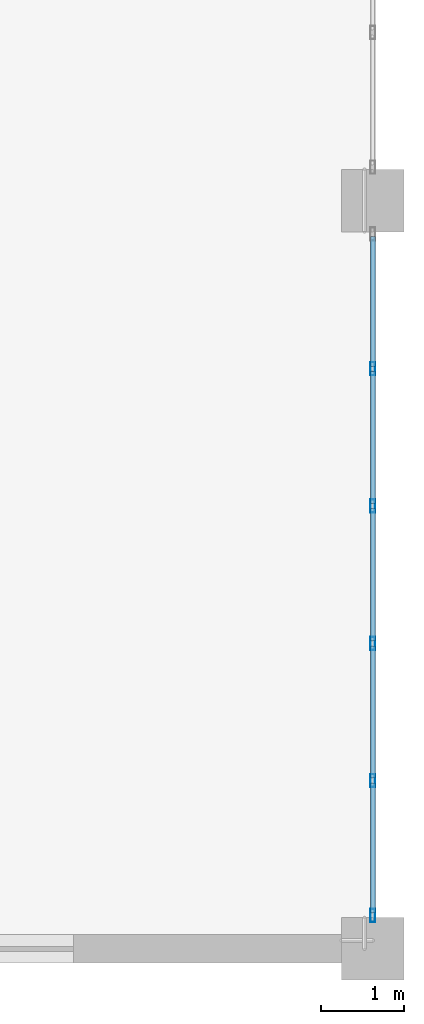
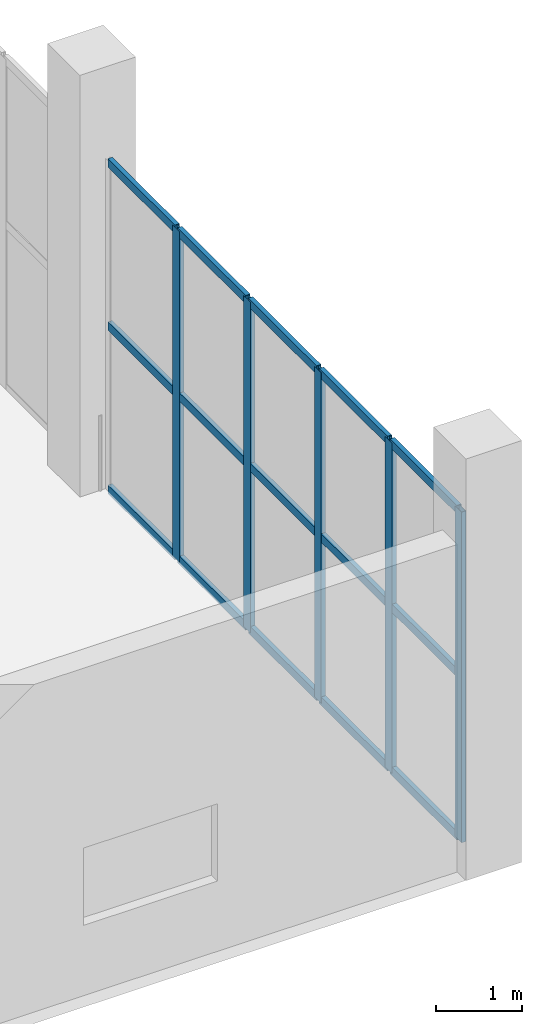
# One storey, part 68 of 223: 20 members, 1 element without a shape of its own.
"""IFC4 building model written with IfcOpenShell, lengths in metres."""

from ifc_helpers import new_model, si_unit, direction, frame, origin, origin_2d, place, context, subcontext, project, spatial, hollow_rectangle, extrude, material, layer, layer_set, material_profile, profile_set, type_object, element, aggregate, save


model = new_model("IFC4")

# Units and contexts
model_context = context("Model", 3, precision=1e-05, world=origin(), true_north=direction((0.0, 1.0)))
body_context = subcontext(model_context, "Body", "Model", "MODEL_VIEW")
ifc_project = project(units=[si_unit("LENGTHUNIT", "METRE"), si_unit("AREAUNIT", "SQUARE_METRE"), si_unit("VOLUMEUNIT", "CUBIC_METRE"), si_unit("PLANEANGLEUNIT", "RADIAN"), si_unit("MASSUNIT", "GRAM", prefix="KILO")], contexts=[model_context])

# Site, building, storey
site_placement = place(None, origin())
site = spatial("IfcSite", under=ifc_project, at=site_placement, CompositionType="ELEMENT")
building_placement = place(site_placement, origin())
building = spatial("IfcBuilding", under=site, at=building_placement, Name="Dornveld Trade and Exhibition Forum", CompositionType="ELEMENT")
storey_placement = place(building_placement, frame((0.0, 0.0, 6.0)))
storey = spatial("IfcBuildingStorey", under=building, at=storey_placement, Name="L01", CompositionType="ELEMENT", Elevation=6.0)

# Curtain wall, members
ifc_material_1 = material(Name="Dark-bronze anodised aluminium and low-E glass", Category="aluminium")
ifc_layer = layer(ifc_material_1, 0.18994140625)
ifc_layer_set = layer_set([ifc_layer], Name="Dark-bronze anodised aluminium and low-E glass")
curtain_wall_type = type_object("IfcCurtainWallType", Name="CW-SYS-16", PredefinedType="USERDEFINED", material=ifc_layer_set)
curtain_wall_placement = place(storey_placement, origin())
curtain_wall = element("IfcCurtainWall", 1, at=curtain_wall_placement, inside=storey, type_object=curtain_wall_type, Name="L01 unitised curtain wall 70", ObjectType="UNITISED_CURTAIN_WALL", PredefinedType="USERDEFINED")
ifc_material_2 = material(Name="Dark-bronze anodised aluminium", Category="aluminium")
ifc_material_profile_1 = material_profile(ifc_material_2, hollow_rectangle(XDim=0.06005859375, YDim=0.159912109375, WallThickness=0.00390625, at=origin_2d()), Name="RHS 160x60x4")
ifc_profile_set_1 = profile_set([ifc_material_profile_1], Name="Dark-bronze anodised aluminium")
member_type_1 = type_object("IfcMemberType", Name="CW-MUL-160", PredefinedType="MULLION", material=ifc_profile_set_1)
member_1_placement = place(storey_placement, frame((234.0, 0.40087890625, -0.00390625), z_axis=(0.0, 0.0, 1.0), x_axis=(-1.0, 0.0, 0.0)))
member_1 = element("IfcMember", 2, at=member_1_placement, type_object=member_type_1, Name="CW-16 mullion 1", PredefinedType="MULLION", context=body_context, shape_type="SweptSolid", body=[
    extrude(hollow_rectangle(XDim=0.06005859375, YDim=0.159912109375, WallThickness=0.00390625, at=origin_2d()), origin(), (0.0, 0.0, 1.0), 4.703857421875),
])
member_2_placement = place(storey_placement, frame((234.0, 2.022705078125, -0.00390625), z_axis=(0.0, 0.0, 1.0), x_axis=(-1.0, 0.0, 0.0)))
member_2 = element("IfcMember", 3, at=member_2_placement, type_object=member_type_1, Name="CW-16 mullion 2", PredefinedType="MULLION", context=body_context, shape_type="SweptSolid", body=[
    extrude(hollow_rectangle(XDim=0.06005859375, YDim=0.159912109375, WallThickness=0.00390625, at=origin_2d()), origin(), (0.0, 0.0, 1.0), 4.703857421875),
])
member_3_placement = place(storey_placement, frame((234.0, 3.67431640625, -0.00390625), z_axis=(0.0, 0.0, 1.0), x_axis=(-1.0, 0.0, 0.0)))
member_3 = element("IfcMember", 4, at=member_3_placement, type_object=member_type_1, Name="CW-16 mullion 3", PredefinedType="MULLION", context=body_context, shape_type="SweptSolid", body=[
    extrude(hollow_rectangle(XDim=0.06005859375, YDim=0.159912109375, WallThickness=0.00390625, at=origin_2d()), origin(), (0.0, 0.0, 1.0), 4.703857421875),
])
member_4_placement = place(storey_placement, frame((234.0, 5.32568359375, -0.00390625), z_axis=(0.0, 0.0, 1.0), x_axis=(-1.0, 0.0, 0.0)))
member_4 = element("IfcMember", 5, at=member_4_placement, type_object=member_type_1, Name="CW-16 mullion 4", PredefinedType="MULLION", context=body_context, shape_type="SweptSolid", body=[
    extrude(hollow_rectangle(XDim=0.06005859375, YDim=0.159912109375, WallThickness=0.00390625, at=origin_2d()), origin(), (0.0, 0.0, 1.0), 4.703857421875),
])
member_5_placement = place(storey_placement, frame((234.0, 6.977294921875, -0.00390625), z_axis=(0.0, 0.0, 1.0), x_axis=(-1.0, 0.0, 0.0)))
member_5 = element("IfcMember", 6, at=member_5_placement, type_object=member_type_1, Name="CW-16 mullion 5", PredefinedType="MULLION", context=body_context, shape_type="SweptSolid", body=[
    extrude(hollow_rectangle(XDim=0.06005859375, YDim=0.159912109375, WallThickness=0.00390625, at=origin_2d()), origin(), (0.0, 0.0, 1.0), 4.703857421875),
])
ifc_material_3 = material(Name="Dark-bronze anodised aluminium", Category="aluminium")
ifc_material_profile_2 = material_profile(ifc_material_3, hollow_rectangle(XDim=0.06005859375, YDim=0.1201171875, WallThickness=0.00390625, at=origin_2d()), Name="RHS 120x60x4")
ifc_profile_set_2 = profile_set([ifc_material_profile_2], Name="Dark-bronze anodised aluminium")
member_type_2 = type_object("IfcMemberType", Name="CW-TRN-120", PredefinedType="USERDEFINED", material=ifc_profile_set_2)
member_6_placement = place(storey_placement, frame((234.0, 0.430908203125, 0.02587890625), z_axis=(0.0, 1.0, 0.0), x_axis=(-1.0, 0.0, 0.0)))
member_6 = element("IfcMember", 7, at=member_6_placement, type_object=member_type_2, Name="CW-16 transom 1.1", ObjectType="TRANSOM", PredefinedType="USERDEFINED", context=body_context, shape_type="SweptSolid", body=[
    extrude(hollow_rectangle(XDim=0.06005859375, YDim=0.1201171875, WallThickness=0.00390625, at=origin_2d()), origin(), (0.0, 0.0, 1.0), 1.561767578125),
])
member_7_placement = place(storey_placement, frame((234.0, 0.430908203125, 2.347900390625), z_axis=(0.0, 1.0, 0.0), x_axis=(-1.0, 0.0, 0.0)))
member_7 = element("IfcMember", 8, at=member_7_placement, type_object=member_type_2, Name="CW-16 transom 1.2", ObjectType="TRANSOM", PredefinedType="USERDEFINED", context=body_context, shape_type="SweptSolid", body=[
    extrude(hollow_rectangle(XDim=0.06005859375, YDim=0.1201171875, WallThickness=0.00390625, at=origin_2d()), origin(), (0.0, 0.0, 1.0), 1.561767578125),
])
member_8_placement = place(storey_placement, frame((234.0, 0.430908203125, 4.669921875), z_axis=(0.0, 1.0, 0.0), x_axis=(-1.0, 0.0, 0.0)))
member_8 = element("IfcMember", 9, at=member_8_placement, type_object=member_type_2, Name="CW-16 transom 1.3", ObjectType="TRANSOM", PredefinedType="USERDEFINED", context=body_context, shape_type="SweptSolid", body=[
    extrude(hollow_rectangle(XDim=0.06005859375, YDim=0.1201171875, WallThickness=0.00390625, at=origin_2d()), origin(), (0.0, 0.0, 1.0), 1.561767578125),
])
member_9_placement = place(storey_placement, frame((234.0, 2.052490234375, 0.02587890625), z_axis=(0.0, 1.0, 0.0), x_axis=(-1.0, 0.0, 0.0)))
member_9 = element("IfcMember", 10, at=member_9_placement, type_object=member_type_2, Name="CW-16 transom 2.1", ObjectType="TRANSOM", PredefinedType="USERDEFINED", context=body_context, shape_type="SweptSolid", body=[
    extrude(hollow_rectangle(XDim=0.06005859375, YDim=0.1201171875, WallThickness=0.00390625, at=origin_2d()), origin(), (0.0, 0.0, 1.0), 1.591796875),
])
member_10_placement = place(storey_placement, frame((234.0, 2.052490234375, 2.347900390625), z_axis=(0.0, 1.0, 0.0), x_axis=(-1.0, 0.0, 0.0)))
member_10 = element("IfcMember", 11, at=member_10_placement, type_object=member_type_2, Name="CW-16 transom 2.2", ObjectType="TRANSOM", PredefinedType="USERDEFINED", context=body_context, shape_type="SweptSolid", body=[
    extrude(hollow_rectangle(XDim=0.06005859375, YDim=0.1201171875, WallThickness=0.00390625, at=origin_2d()), origin(), (0.0, 0.0, 1.0), 1.591796875),
])
member_11_placement = place(storey_placement, frame((234.0, 2.052490234375, 4.669921875), z_axis=(0.0, 1.0, 0.0), x_axis=(-1.0, 0.0, 0.0)))
member_11 = element("IfcMember", 12, at=member_11_placement, type_object=member_type_2, Name="CW-16 transom 2.3", ObjectType="TRANSOM", PredefinedType="USERDEFINED", context=body_context, shape_type="SweptSolid", body=[
    extrude(hollow_rectangle(XDim=0.06005859375, YDim=0.1201171875, WallThickness=0.00390625, at=origin_2d()), origin(), (0.0, 0.0, 1.0), 1.591796875),
])
member_12_placement = place(storey_placement, frame((234.0, 3.7041015625, 0.02587890625), z_axis=(0.0, 1.0, 0.0), x_axis=(-1.0, 0.0, 0.0)))
member_12 = element("IfcMember", 13, at=member_12_placement, type_object=member_type_2, Name="CW-16 transom 3.1", ObjectType="TRANSOM", PredefinedType="USERDEFINED", context=body_context, shape_type="SweptSolid", body=[
    extrude(hollow_rectangle(XDim=0.06005859375, YDim=0.1201171875, WallThickness=0.00390625, at=origin_2d()), origin(), (0.0, 0.0, 1.0), 1.591796875),
])
member_13_placement = place(storey_placement, frame((234.0, 3.7041015625, 2.347900390625), z_axis=(0.0, 1.0, 0.0), x_axis=(-1.0, 0.0, 0.0)))
member_13 = element("IfcMember", 14, at=member_13_placement, type_object=member_type_2, Name="CW-16 transom 3.2", ObjectType="TRANSOM", PredefinedType="USERDEFINED", context=body_context, shape_type="SweptSolid", body=[
    extrude(hollow_rectangle(XDim=0.06005859375, YDim=0.1201171875, WallThickness=0.00390625, at=origin_2d()), origin(), (0.0, 0.0, 1.0), 1.591796875),
])
member_14_placement = place(storey_placement, frame((234.0, 3.7041015625, 4.669921875), z_axis=(0.0, 1.0, 0.0), x_axis=(-1.0, 0.0, 0.0)))
member_14 = element("IfcMember", 15, at=member_14_placement, type_object=member_type_2, Name="CW-16 transom 3.3", ObjectType="TRANSOM", PredefinedType="USERDEFINED", context=body_context, shape_type="SweptSolid", body=[
    extrude(hollow_rectangle(XDim=0.06005859375, YDim=0.1201171875, WallThickness=0.00390625, at=origin_2d()), origin(), (0.0, 0.0, 1.0), 1.591796875),
])
member_15_placement = place(storey_placement, frame((234.0, 5.355712890625, 0.02587890625), z_axis=(0.0, 1.0, 0.0), x_axis=(-1.0, 0.0, 0.0)))
member_15 = element("IfcMember", 16, at=member_15_placement, type_object=member_type_2, Name="CW-16 transom 4.1", ObjectType="TRANSOM", PredefinedType="USERDEFINED", context=body_context, shape_type="SweptSolid", body=[
    extrude(hollow_rectangle(XDim=0.06005859375, YDim=0.1201171875, WallThickness=0.00390625, at=origin_2d()), origin(), (0.0, 0.0, 1.0), 1.591796875),
])
member_16_placement = place(storey_placement, frame((234.0, 5.355712890625, 2.347900390625), z_axis=(0.0, 1.0, 0.0), x_axis=(-1.0, 0.0, 0.0)))
member_16 = element("IfcMember", 17, at=member_16_placement, type_object=member_type_2, Name="CW-16 transom 4.2", ObjectType="TRANSOM", PredefinedType="USERDEFINED", context=body_context, shape_type="SweptSolid", body=[
    extrude(hollow_rectangle(XDim=0.06005859375, YDim=0.1201171875, WallThickness=0.00390625, at=origin_2d()), origin(), (0.0, 0.0, 1.0), 1.591796875),
])
member_17_placement = place(storey_placement, frame((234.0, 5.355712890625, 4.669921875), z_axis=(0.0, 1.0, 0.0), x_axis=(-1.0, 0.0, 0.0)))
member_17 = element("IfcMember", 18, at=member_17_placement, type_object=member_type_2, Name="CW-16 transom 4.3", ObjectType="TRANSOM", PredefinedType="USERDEFINED", context=body_context, shape_type="SweptSolid", body=[
    extrude(hollow_rectangle(XDim=0.06005859375, YDim=0.1201171875, WallThickness=0.00390625, at=origin_2d()), origin(), (0.0, 0.0, 1.0), 1.591796875),
])
member_18_placement = place(storey_placement, frame((234.0, 7.00732421875, 0.02587890625), z_axis=(0.0, 1.0, 0.0), x_axis=(-1.0, 0.0, 0.0)))
member_18 = element("IfcMember", 19, at=member_18_placement, type_object=member_type_2, Name="CW-16 transom 5.1", ObjectType="TRANSOM", PredefinedType="USERDEFINED", context=body_context, shape_type="SweptSolid", body=[
    extrude(hollow_rectangle(XDim=0.06005859375, YDim=0.1201171875, WallThickness=0.00390625, at=origin_2d()), origin(), (0.0, 0.0, 1.0), 1.561767578125),
])
member_19_placement = place(storey_placement, frame((234.0, 7.00732421875, 2.347900390625), z_axis=(0.0, 1.0, 0.0), x_axis=(-1.0, 0.0, 0.0)))
member_19 = element("IfcMember", 20, at=member_19_placement, type_object=member_type_2, Name="CW-16 transom 5.2", ObjectType="TRANSOM", PredefinedType="USERDEFINED", context=body_context, shape_type="SweptSolid", body=[
    extrude(hollow_rectangle(XDim=0.06005859375, YDim=0.1201171875, WallThickness=0.00390625, at=origin_2d()), origin(), (0.0, 0.0, 1.0), 1.561767578125),
])
member_20_placement = place(storey_placement, frame((234.0, 7.00732421875, 4.669921875), z_axis=(0.0, 1.0, 0.0), x_axis=(-1.0, 0.0, 0.0)))
member_20 = element("IfcMember", 21, at=member_20_placement, type_object=member_type_2, Name="CW-16 transom 5.3", ObjectType="TRANSOM", PredefinedType="USERDEFINED", context=body_context, shape_type="SweptSolid", body=[
    extrude(hollow_rectangle(XDim=0.06005859375, YDim=0.1201171875, WallThickness=0.00390625, at=origin_2d()), origin(), (0.0, 0.0, 1.0), 1.561767578125),
])
aggregate(curtain_wall, [member_1, member_2, member_3, member_4, member_5, member_6, member_7, member_8, member_9, member_10, member_11, member_12, member_13, member_14, member_15, member_16, member_17, member_18, member_19, member_20])

save(model, "model.ifc")
